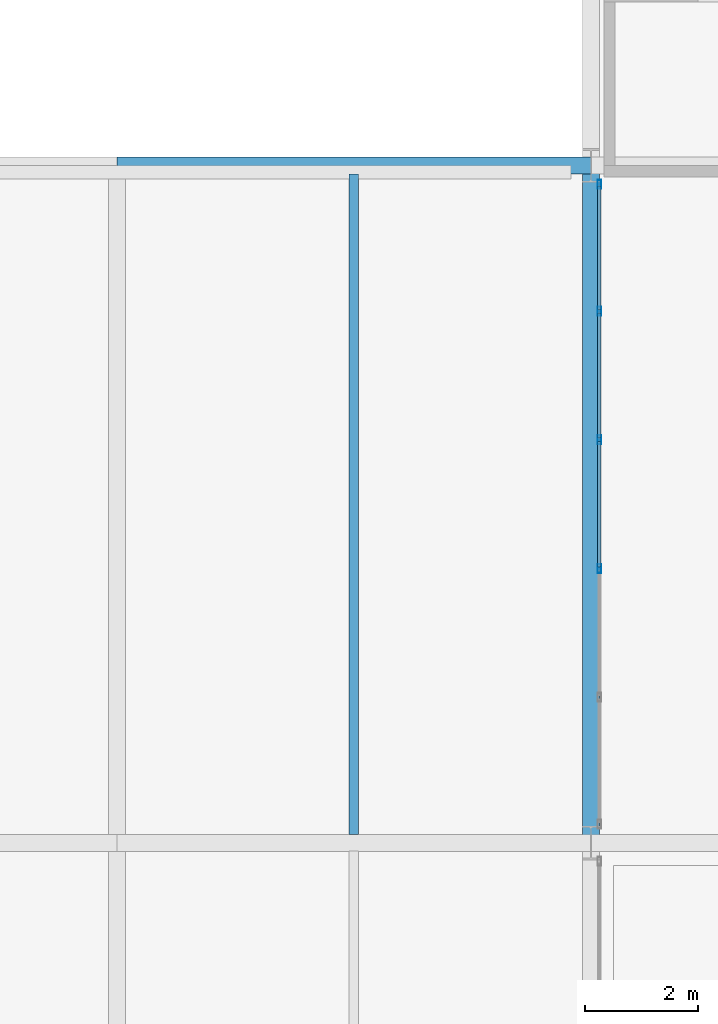
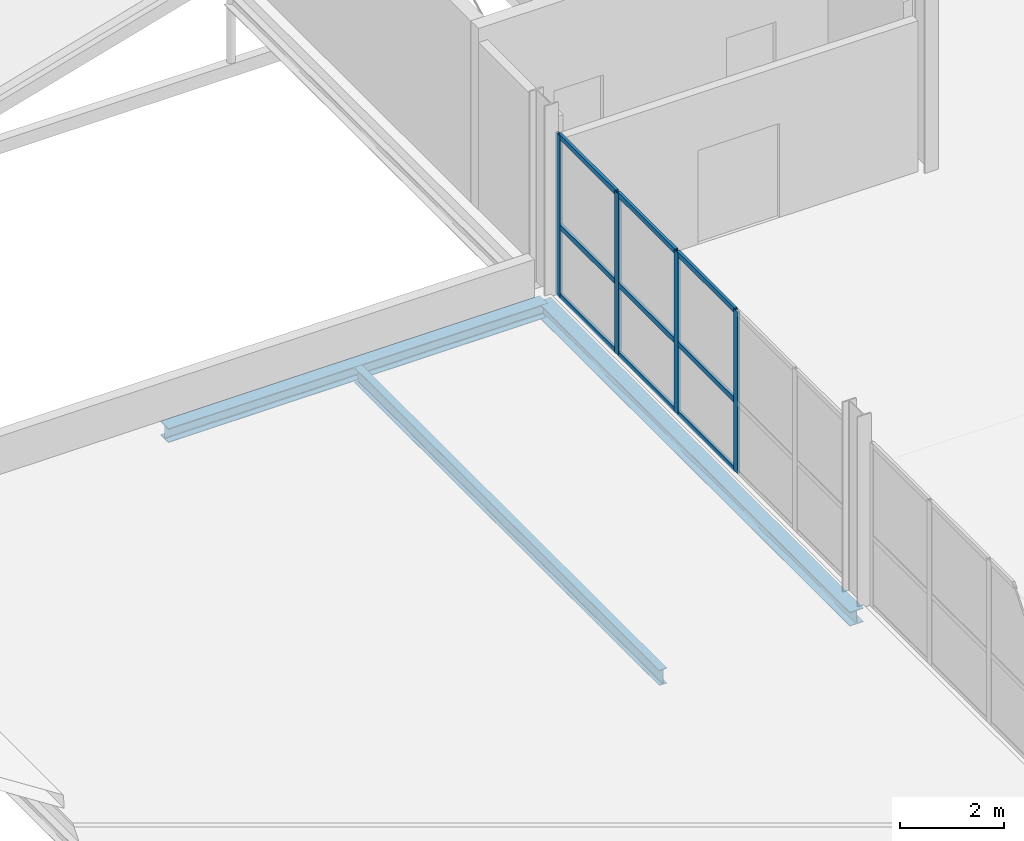
# One storey, part 43 of 130: 13 members, 3 beams, 1 element without a shape of its own.
"""IFC4 building model written with IfcOpenShell, lengths in metres."""

from ifc_helpers import new_model, si_unit, direction, frame, origin, origin_2d, place, context, subcontext, project, spatial, hollow_rectangle, i_section, extrude, material, material_profile, profile_set, type_object, element, aggregate, save


model = new_model("IFC4")

# Units and contexts
model_context = context("Model", 3, precision=1e-05, world=origin(), true_north=direction((0.0, 1.0)))
body_context = subcontext(model_context, "Body", "Model", "MODEL_VIEW")
ifc_project = project(units=[si_unit("LENGTHUNIT", "METRE"), si_unit("AREAUNIT", "SQUARE_METRE"), si_unit("VOLUMEUNIT", "CUBIC_METRE"), si_unit("PLANEANGLEUNIT", "RADIAN"), si_unit("MASSUNIT", "GRAM", prefix="KILO")], contexts=[model_context])

# Site, building, storey
site_placement = place(None, origin())
site = spatial("IfcSite", under=ifc_project, at=site_placement, CompositionType="ELEMENT")
building_placement = place(site_placement, origin())
building = spatial("IfcBuilding", under=site, at=building_placement, Name="Veltarok Museum of Natural Sciences", CompositionType="ELEMENT")
storey_placement = place(building_placement, frame((0.0, 0.0, 12.89990234375)))
storey = spatial("IfcBuildingStorey", under=building, at=storey_placement, Name="L02", CompositionType="ELEMENT", Elevation=12.89990234375)

# Curtain wall, members
ifc_material_1 = material(Name="Low-iron triple insulated glass", Category="glass")
curtain_wall_type = type_object("IfcCurtainWallType", Name="Curtain Wall System CW-V2W-L02-2-1140x378 (CW-V2W L02 1140x378cm)", PredefinedType="NOTDEFINED", material=ifc_material_1)
curtain_wall_placement = place(storey_placement, origin())
curtain_wall = element("IfcCurtainWall", 1, at=curtain_wall_placement, inside=storey, type_object=curtain_wall_type, Name="Curtain Wall CW-V2W-L02-2-1140x378 CW-0142", PredefinedType="NOTDEFINED")
ifc_material_2 = material(Name="Thermally broken anodised aluminium", Category="aluminium")
ifc_material_profile_1 = material_profile(ifc_material_2, hollow_rectangle(XDim=0.06005859375, YDim=0.1201171875, WallThickness=0.0048828125, at=origin_2d()), Name="CW TRANSOM 60x120x5")
ifc_profile_set_1 = profile_set([ifc_material_profile_1], Name="Thermally broken anodised aluminium")
member_type_1 = type_object("IfcMemberType", Name="Curtain Wall Horizontal Transom 60x120x5", PredefinedType="USERDEFINED", material=ifc_profile_set_1)
member_1_placement = place(storey_placement, frame((40.14990234375, 52.889892578125, 0.028076171875), z_axis=(0.0, 1.0, 0.0), x_axis=(-1.0, 0.0, 0.0)))
member_1 = element("IfcMember", 2, at=member_1_placement, type_object=member_type_1, Name="CW-V2W-L02-2-1140x378 transom 3.1", ObjectType="TRANSOM", PredefinedType="USERDEFINED", context=body_context, shape_type="SweptSolid", body=[
    extrude(hollow_rectangle(XDim=0.06005859375, YDim=0.1201171875, WallThickness=0.0048828125, at=origin_2d()), origin(), (0.0, 0.0, 1.0), 2.22021484375),
])
member_2_placement = place(storey_placement, frame((40.14990234375, 52.889892578125, 1.648193359375), z_axis=(0.0, 1.0, 0.0), x_axis=(-1.0, 0.0, 0.0)))
member_2 = element("IfcMember", 3, at=member_2_placement, type_object=member_type_1, Name="CW-V2W-L02-2-1140x378 transom 3.2", ObjectType="TRANSOM", PredefinedType="USERDEFINED", context=body_context, shape_type="SweptSolid", body=[
    extrude(hollow_rectangle(XDim=0.06005859375, YDim=0.1201171875, WallThickness=0.0048828125, at=origin_2d()), origin(), (0.0, 0.0, 1.0), 2.22021484375),
])
member_3_placement = place(storey_placement, frame((40.14990234375, 52.889892578125, 3.75), z_axis=(0.0, 1.0, 0.0), x_axis=(-1.0, 0.0, 0.0)))
member_3 = element("IfcMember", 4, at=member_3_placement, type_object=member_type_1, Name="CW-V2W-L02-2-1140x378 transom 3.3", ObjectType="TRANSOM", PredefinedType="USERDEFINED", context=body_context, shape_type="SweptSolid", body=[
    extrude(hollow_rectangle(XDim=0.06005859375, YDim=0.1201171875, WallThickness=0.0048828125, at=origin_2d()), origin(), (0.0, 0.0, 1.0), 2.22021484375),
])
member_4_placement = place(storey_placement, frame((40.14990234375, 55.169921875, 0.028076171875), z_axis=(0.0, 1.0, 0.0), x_axis=(-1.0, 0.0, 0.0)))
member_4 = element("IfcMember", 5, at=member_4_placement, type_object=member_type_1, Name="CW-V2W-L02-2-1140x378 transom 4.1", ObjectType="TRANSOM", PredefinedType="USERDEFINED", context=body_context, shape_type="SweptSolid", body=[
    extrude(hollow_rectangle(XDim=0.06005859375, YDim=0.1201171875, WallThickness=0.0048828125, at=origin_2d()), origin(), (0.0, 0.0, 1.0), 2.219970703125),
])
member_5_placement = place(storey_placement, frame((40.14990234375, 55.169921875, 1.648193359375), z_axis=(0.0, 1.0, 0.0), x_axis=(-1.0, 0.0, 0.0)))
member_5 = element("IfcMember", 6, at=member_5_placement, type_object=member_type_1, Name="CW-V2W-L02-2-1140x378 transom 4.2", ObjectType="TRANSOM", PredefinedType="USERDEFINED", context=body_context, shape_type="SweptSolid", body=[
    extrude(hollow_rectangle(XDim=0.06005859375, YDim=0.1201171875, WallThickness=0.0048828125, at=origin_2d()), origin(), (0.0, 0.0, 1.0), 2.219970703125),
])
member_6_placement = place(storey_placement, frame((40.14990234375, 55.169921875, 3.75), z_axis=(0.0, 1.0, 0.0), x_axis=(-1.0, 0.0, 0.0)))
member_6 = element("IfcMember", 7, at=member_6_placement, type_object=member_type_1, Name="CW-V2W-L02-2-1140x378 transom 4.3", ObjectType="TRANSOM", PredefinedType="USERDEFINED", context=body_context, shape_type="SweptSolid", body=[
    extrude(hollow_rectangle(XDim=0.06005859375, YDim=0.1201171875, WallThickness=0.0048828125, at=origin_2d()), origin(), (0.0, 0.0, 1.0), 2.219970703125),
])
member_7_placement = place(storey_placement, frame((40.14990234375, 57.449951171875, 0.028076171875), z_axis=(0.0, 1.0, 0.0), x_axis=(-1.0, 0.0, 0.0)))
member_7 = element("IfcMember", 8, at=member_7_placement, type_object=member_type_1, Name="CW-V2W-L02-2-1140x378 transom 5.1", ObjectType="TRANSOM", PredefinedType="USERDEFINED", context=body_context, shape_type="SweptSolid", body=[
    extrude(hollow_rectangle(XDim=0.06005859375, YDim=0.1201171875, WallThickness=0.0048828125, at=origin_2d()), origin(), (0.0, 0.0, 1.0), 2.18994140625),
])
member_8_placement = place(storey_placement, frame((40.14990234375, 57.449951171875, 1.648193359375), z_axis=(0.0, 1.0, 0.0), x_axis=(-1.0, 0.0, 0.0)))
member_8 = element("IfcMember", 9, at=member_8_placement, type_object=member_type_1, Name="CW-V2W-L02-2-1140x378 transom 5.2", ObjectType="TRANSOM", PredefinedType="USERDEFINED", context=body_context, shape_type="SweptSolid", body=[
    extrude(hollow_rectangle(XDim=0.06005859375, YDim=0.1201171875, WallThickness=0.0048828125, at=origin_2d()), origin(), (0.0, 0.0, 1.0), 2.18994140625),
])
member_9_placement = place(storey_placement, frame((40.14990234375, 57.449951171875, 3.75), z_axis=(0.0, 1.0, 0.0), x_axis=(-1.0, 0.0, 0.0)))
member_9 = element("IfcMember", 10, at=member_9_placement, type_object=member_type_1, Name="CW-V2W-L02-2-1140x378 transom 5.3", ObjectType="TRANSOM", PredefinedType="USERDEFINED", context=body_context, shape_type="SweptSolid", body=[
    extrude(hollow_rectangle(XDim=0.06005859375, YDim=0.1201171875, WallThickness=0.0048828125, at=origin_2d()), origin(), (0.0, 0.0, 1.0), 2.18994140625),
])
ifc_material_profile_2 = material_profile(ifc_material_2, hollow_rectangle(XDim=0.06005859375, YDim=0.159912109375, WallThickness=0.0048828125, at=origin_2d()), Name="CW MULLION 60x160x5")
ifc_profile_set_2 = profile_set([ifc_material_profile_2], Name="Thermally broken anodised aluminium")
member_type_2 = type_object("IfcMemberType", Name="Curtain Wall Vertical Mullion 60x160x5", PredefinedType="MULLION", material=ifc_profile_set_2)
member_10_placement = place(storey_placement, frame((40.14990234375, 52.860107421875, -0.001953125), z_axis=(0.0, 0.0, 1.0), x_axis=(-1.0, 0.0, 0.0)))
member_10 = element("IfcMember", 11, at=member_10_placement, type_object=member_type_2, Name="CW-V2W-L02-2-1140x378 mullion 3", PredefinedType="MULLION", context=body_context, shape_type="SweptSolid", body=[
    extrude(hollow_rectangle(XDim=0.06005859375, YDim=0.159912109375, WallThickness=0.0048828125, at=origin_2d()), origin(), (0.0, 0.0, 1.0), 3.781982421875),
])
member_11_placement = place(storey_placement, frame((40.14990234375, 55.139892578125, -0.001953125), z_axis=(0.0, 0.0, 1.0), x_axis=(-1.0, 0.0, 0.0)))
member_11 = element("IfcMember", 12, at=member_11_placement, type_object=member_type_2, Name="CW-V2W-L02-2-1140x378 mullion 4", PredefinedType="MULLION", context=body_context, shape_type="SweptSolid", body=[
    extrude(hollow_rectangle(XDim=0.06005859375, YDim=0.159912109375, WallThickness=0.0048828125, at=origin_2d()), origin(), (0.0, 0.0, 1.0), 3.781982421875),
])
member_12_placement = place(storey_placement, frame((40.14990234375, 57.419921875, -0.001953125), z_axis=(0.0, 0.0, 1.0), x_axis=(-1.0, 0.0, 0.0)))
member_12 = element("IfcMember", 13, at=member_12_placement, type_object=member_type_2, Name="CW-V2W-L02-2-1140x378 mullion 5", PredefinedType="MULLION", context=body_context, shape_type="SweptSolid", body=[
    extrude(hollow_rectangle(XDim=0.06005859375, YDim=0.159912109375, WallThickness=0.0048828125, at=origin_2d()), origin(), (0.0, 0.0, 1.0), 3.781982421875),
])
member_13_placement = place(storey_placement, frame((40.14990234375, 59.669921875, -0.001953125), z_axis=(0.0, 0.0, 1.0), x_axis=(-1.0, 0.0, 0.0)))
member_13 = element("IfcMember", 14, at=member_13_placement, type_object=member_type_2, Name="CW-V2W-L02-2-1140x378 mullion 6", PredefinedType="MULLION", context=body_context, shape_type="SweptSolid", body=[
    extrude(hollow_rectangle(XDim=0.06005859375, YDim=0.159912109375, WallThickness=0.0048828125, at=origin_2d()), origin(), (0.0, 0.0, 1.0), 3.781982421875),
])
aggregate(curtain_wall, [member_10, member_11, member_12, member_13, member_1, member_2, member_3, member_4, member_5, member_6, member_7, member_8, member_9])

# Beams
ifc_material_3 = material(Name="Steel S355J2", Category="steel")
ifc_material_profile_3 = material_profile(ifc_material_3, i_section(OverallWidth=0.169921875, OverallDepth=0.360107421875, WebThickness=0.008056640625, FlangeThickness=0.0126953125, FilletRadius=0.01806640625, at=origin_2d()), Name="IPE 360")
ifc_profile_set_3 = profile_set([ifc_material_profile_3], Name="Steel S355J2")
beam_type_1 = type_object("IfcBeamType", Name="Long-Bay Composite Joist IPE 360", PredefinedType="JOIST", material=ifc_profile_set_3)
beam_1_placement = place(storey_placement, frame((35.800048828125, 48.14794921875, -0.429931640625), z_axis=(0.0, 1.0, 0.0), x_axis=(-1.0, 0.0, 0.0)))
element("IfcBeam", 15, at=beam_1_placement, inside=storey, type_object=beam_type_1, Name="Secondary Joist BM-J01 L02 4-5/F-G.1", PredefinedType="JOIST", context=body_context, shape_type="SweptSolid", body=[
    extrude(i_section(OverallWidth=0.169921875, OverallDepth=0.360107421875, WebThickness=0.008056640625, FlangeThickness=0.0126953125, FilletRadius=0.01806640625, at=origin_2d()), origin(), (0.0, 0.0, 1.0), 11.7041015625),
])
ifc_material_profile_4 = material_profile(ifc_material_3, i_section(OverallWidth=0.300048828125, OverallDepth=0.330078125, WebThickness=0.009521484375, FlangeThickness=0.0166015625, FilletRadius=0.027099609375, at=origin_2d()), Name="HEA 340")
ifc_profile_set_4 = profile_set([ifc_material_profile_4], Name="Steel S355J2")
beam_type_2 = type_object("IfcBeamType", Name="Perimeter Upper Spandrel HEA 340", PredefinedType="SPANDREL", material=ifc_profile_set_4)
beam_2_placement = place(storey_placement, frame((31.60009765625, 60.0, -0.414794921875), z_axis=(1.0, 0.0, 0.0), x_axis=(0.0, 1.0, 0.0)))
element("IfcBeam", 16, at=beam_2_placement, inside=storey, type_object=beam_type_2, Name="Beam BM-SP05 L02 4-5/G", PredefinedType="SPANDREL", context=body_context, shape_type="SweptSolid", body=[
    extrude(i_section(OverallWidth=0.300048828125, OverallDepth=0.330078125, WebThickness=0.009521484375, FlangeThickness=0.0166015625, FilletRadius=0.027099609375, at=origin_2d()), origin(), (0.0, 0.0, 1.0), 8.39990234375),
])
beam_3_placement = place(storey_placement, frame((40.0, 48.0, -0.414794921875), z_axis=(0.0, 1.0, 0.0), x_axis=(-1.0, 0.0, 0.0)))
element("IfcBeam", 17, at=beam_3_placement, inside=storey, type_object=beam_type_2, Name="Beam BM-SP05 L02 5/F-G", PredefinedType="SPANDREL", context=body_context, shape_type="SweptSolid", body=[
    extrude(i_section(OverallWidth=0.300048828125, OverallDepth=0.330078125, WebThickness=0.009521484375, FlangeThickness=0.0166015625, FilletRadius=0.027099609375, at=origin_2d()), origin(), (0.0, 0.0, 1.0), 12.0),
])

save(model, "model.ifc")
